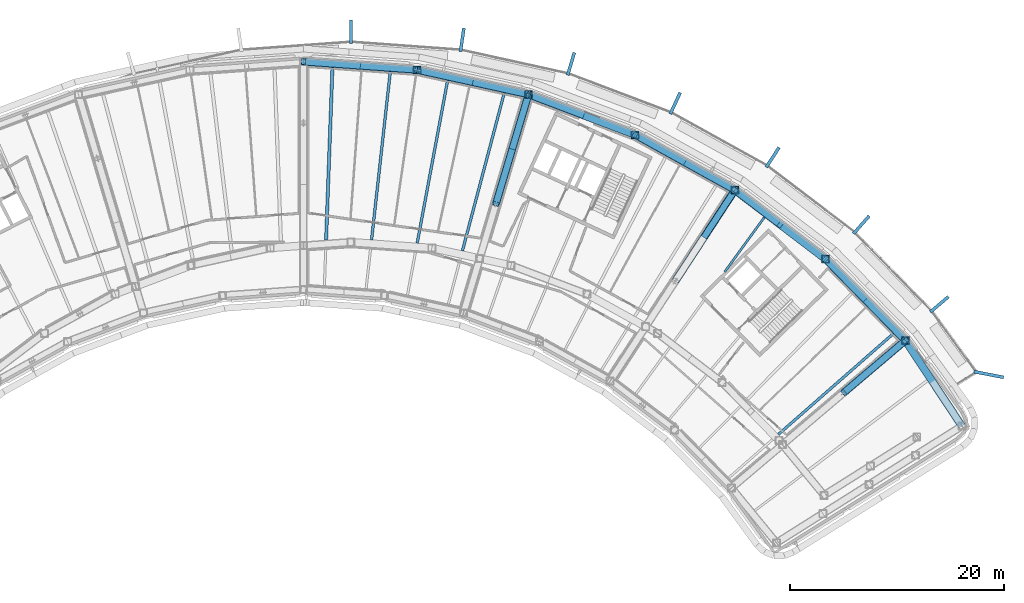
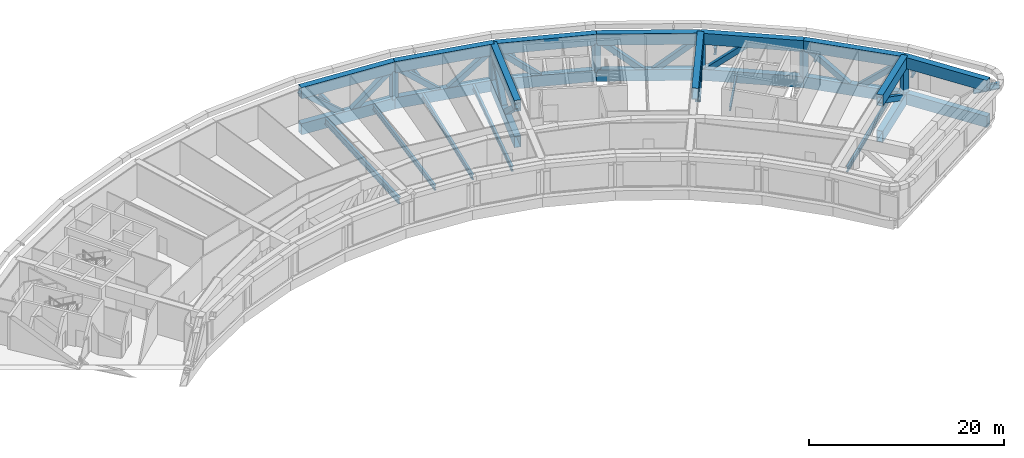
# One storey, part 5 of 25: 33 beams, 20 members.
"""IFC4 building model written with IfcOpenShell, lengths in metres."""

import ifcopenshell
import ifcopenshell.guid

model = None  # the IFC model being written
_history = None  # IfcOwnerHistory: only IFC2X3 demands one
_inside = {}  # id of a spatial element -> (the spatial element, [elements in it])
_under = {}  # id of a project, library or spatial element -> (it, [spatial elements below it])
_declared = {}  # id of a project -> (the project, [libraries it declares])
_typed = {}  # id of a type object -> (the type object, [elements of that type])
_made_of = {}  # id of a material, layer set ... -> (it, [elements and type objects made of it])


def new_model(schema):
    """Start an empty IFC model of exactly this schema.

    Asked for "IFC4X3", IfcOpenShell would pick the latest addendum, in which some entities
    have other attributes; the version numbers below select the first issue.
    IFC2X3 requires an IfcOwnerHistory on every rooted entity: one is made here for all.
    """
    global model, _history
    if schema == "IFC4X3":
        model = ifcopenshell.file(schema_version=(4, 3, 0, 0))
    else:
        model = ifcopenshell.file(schema=schema)
    _inside.clear()
    _under.clear()
    _declared.clear()
    _typed.clear()
    _made_of.clear()
    _history = None
    if model.schema == "IFC2X3":
        org = make("IfcOrganization", Name="unknown")
        user = make(
            "IfcPersonAndOrganization",
            ThePerson=make("IfcPerson", FamilyName="unknown"),
            TheOrganization=org,
        )
        app = make(
            "IfcApplication",
            ApplicationDeveloper=org,
            Version="unknown",
            ApplicationFullName="unknown",
            ApplicationIdentifier="unknown",
        )
        _history = make(
            "IfcOwnerHistory",
            OwningUser=user,
            OwningApplication=app,
            ChangeAction="ADDED",
            CreationDate=0,
        )
    return model


def make(cls, **values):
    """One entity of the class cls with the attributes given. An attribute that is None is left unset."""
    return model.create_entity(
        cls, **{name: value for name, value in values.items() if value is not None}
    )


def rooted(cls, **values):
    """An entity with a GlobalId (a new one), such as an element, a storey or a relation."""
    return make(cls, GlobalId=ifcopenshell.guid.new(), OwnerHistory=_history, **values)


def si_unit(unit_type, name, prefix=None):
    """IfcSIUnit, for example si_unit("LENGTHUNIT", "METRE", prefix="MILLI")."""
    return make("IfcSIUnit", UnitType=unit_type, Prefix=prefix, Name=name)


def assignment(units):
    """IfcUnitAssignment: the units of a project."""
    return None if units is None else make("IfcUnitAssignment", Units=units)


def point(xyz):
    """IfcCartesianPoint."""
    return None if xyz is None else make("IfcCartesianPoint", Coordinates=xyz)


def direction(xyz):
    """IfcDirection."""
    return None if xyz is None else make("IfcDirection", DirectionRatios=xyz)


def frame(location, z_axis=None, x_axis=None):
    """IfcAxis2Placement3D, a coordinate frame: its origin and axes. An axis left out is left unset."""
    return make(
        "IfcAxis2Placement3D",
        Location=point(location),
        Axis=direction(z_axis),
        RefDirection=direction(x_axis),
    )


def frame_2d(location, x_axis=None):
    """IfcAxis2Placement2D, a coordinate frame in the plane: its origin and x axis."""
    return make(
        "IfcAxis2Placement2D", Location=point(location), RefDirection=direction(x_axis)
    )


def origin():
    """The frame at (0, 0, 0) with its axes left unset."""
    return frame((0.0, 0.0, 0.0))


def origin_2d():
    """The frame at (0, 0) in the plane with its x axis left unset."""
    return frame_2d((0.0, 0.0))


def place(relative_to, where):
    """IfcLocalPlacement: puts the frame where relative to a parent placement (None: the world)."""
    return make(
        "IfcLocalPlacement", PlacementRelTo=relative_to, RelativePlacement=where
    )


def context(
    kind, dimensions, precision=None, world=None, true_north=None, identifier=None
):
    """IfcGeometricRepresentationContext, for example the 3D "Model" context."""
    return make(
        "IfcGeometricRepresentationContext",
        ContextIdentifier=identifier,
        ContextType=kind,
        CoordinateSpaceDimension=dimensions,
        Precision=precision,
        WorldCoordinateSystem=world,
        TrueNorth=true_north,
    )


def subcontext(parent, identifier, kind, view, scale=None):
    """IfcGeometricRepresentationSubContext, for example "Body" below "Model"."""
    return make(
        "IfcGeometricRepresentationSubContext",
        ContextIdentifier=identifier,
        ContextType=kind,
        ParentContext=parent,
        TargetScale=scale,
        TargetView=view,
    )


def project(units=None, contexts=None):
    """IfcProject with its units and contexts."""
    return rooted(
        "IfcProject",
        Name="project",
        RepresentationContexts=contexts,
        UnitsInContext=assignment(units),
    )


def spatial(cls, under=None, at=None, **own):
    """A site, building, storey or space (cls), placed at a placement, below another one or the project."""
    s = rooted(cls, ObjectPlacement=at, **own)
    if under is not None:
        _under.setdefault(under.id(), (under, []))[1].append(s)
    return s


def profile(cls, at=None, kind="AREA", **sizes):
    """A parametric profile (cls). Its sizes go by their IFC names, for example OverallWidth=200.0."""
    return make(cls, ProfileType=kind, Position=at, **sizes)


def hollow_rectangle(**sizes):
    """IfcRectangleHollowProfileDef."""
    return profile("IfcRectangleHollowProfileDef", **sizes)


def i_section(**sizes):
    """IfcIShapeProfileDef."""
    return profile("IfcIShapeProfileDef", **sizes)


def extrude(swept, where, along, depth):
    """IfcExtrudedAreaSolid: the profile swept, set in the frame where, extruded along a direction by depth."""
    return make(
        "IfcExtrudedAreaSolid",
        SweptArea=swept,
        Position=where,
        ExtrudedDirection=direction(along),
        Depth=depth,
    )


def shape(context_of_items, identifier, shape_type, items):
    """IfcShapeRepresentation: the items that make up one representation, for example the "Body"."""
    return make(
        "IfcShapeRepresentation",
        ContextOfItems=context_of_items,
        RepresentationIdentifier=identifier,
        RepresentationType=shape_type,
        Items=items,
    )


def material(Name=None, Category=None):
    """IfcMaterial."""
    return make("IfcMaterial", Name=Name, Category=Category)


def material_profile(
    of_material, cross_section, Name=None, Category=None, Priority=None
):
    """IfcMaterialProfile: a cross section and its material."""
    return make(
        "IfcMaterialProfile",
        Name=Name,
        Material=of_material,
        Profile=cross_section,
        Priority=Priority,
        Category=Category,
    )


def profile_set(profiles, Name=None, composite=None):
    """IfcMaterialProfileSet."""
    return make(
        "IfcMaterialProfileSet",
        Name=Name,
        MaterialProfiles=profiles,
        CompositeProfile=composite,
    )


def made_of(thing, what):
    """Note that an element or type object is made of a material, layer set ...; save() writes the relation."""
    if what is not None:
        _made_of.setdefault(what.id(), (what, []))[1].append(thing)
    return thing


def type_object(cls, material=None, **own):
    """A type object (cls), such as IfcWallType, which elements share."""
    return made_of(rooted(cls, **own), material)


def element(
    cls,
    number,
    at=None,
    inside=None,
    cuts=None,
    type_object=None,
    material=None,
    context=None,
    identifier="Body",
    shape_type=None,
    held_by="IfcProductDefinitionShape",
    body=None,
    shapes=None,
    **own,
):
    """One element of the class cls, such as IfcWall. Its Tag is "e" and its number.

    at: its placement. inside: the storey or other place that contains it. cuts: it is an
    opening in that element (IfcRelVoidsElement). A single representation is given by context,
    identifier, shape_type and body (its items); several are given by shapes. held_by: the class
    of the entity that holds the representations. save() writes the other relations.
    """
    e = rooted(cls, Tag="e%d" % number, ObjectPlacement=at, **own)
    if body is not None:
        shapes = [shape(context, identifier, shape_type, body)]
    if shapes is not None:
        e.Representation = make(held_by, Representations=shapes)
    if inside is not None:
        _inside.setdefault(inside.id(), (inside, []))[1].append(e)
    if cuts is not None:
        rooted(
            "IfcRelVoidsElement", RelatingBuildingElement=cuts, RelatedOpeningElement=e
        )
    if type_object is not None:
        _typed.setdefault(type_object.id(), (type_object, []))[1].append(e)
    return made_of(e, material)


def aggregate(whole, parts):
    """IfcRelAggregates: a whole, such as a stair, and the parts it consists of."""
    return rooted("IfcRelAggregates", RelatingObject=whole, RelatedObjects=parts)


def save(model, path):
    """Write the relations noted so far, then the file.

    IfcRelAggregates (storeys below a building ...), IfcRelContainedInSpatialStructure (elements
    in a storey), IfcRelDefinesByType, IfcRelAssociatesMaterial and IfcRelDeclares: one each for
    every whole, place, type object, material and project.
    """
    for whole, parts in _under.values():
        aggregate(whole, parts)
    for where, things in _inside.values():
        rooted(
            "IfcRelContainedInSpatialStructure",
            RelatedElements=things,
            RelatingStructure=where,
        )
    for kind, things in _typed.values():
        rooted("IfcRelDefinesByType", RelatedObjects=things, RelatingType=kind)
    for what, things in _made_of.values():
        rooted("IfcRelAssociatesMaterial", RelatedObjects=things, RelatingMaterial=what)
    for by, libraries in _declared.values():
        rooted("IfcRelDeclares", RelatingContext=by, RelatedDefinitions=libraries)
    model.write(path)


model = new_model("IFC4")

# Units and contexts
model_context = context("Model", 3, precision=1e-05, world=origin(), true_north=direction((0.0, 1.0)))
body_context = subcontext(model_context, "Body", "Model", "MODEL_VIEW")
ifc_project = project(units=[si_unit("LENGTHUNIT", "METRE"), si_unit("AREAUNIT", "SQUARE_METRE"), si_unit("VOLUMEUNIT", "CUBIC_METRE"), si_unit("PLANEANGLEUNIT", "RADIAN"), si_unit("MASSUNIT", "GRAM", prefix="KILO")], contexts=[model_context])

# Site, building, storey
site_placement = place(None, origin())
site = spatial("IfcSite", under=ifc_project, at=site_placement, CompositionType="ELEMENT")
building_placement = place(site_placement, origin())
building = spatial("IfcBuilding", under=site, at=building_placement, Name="Tuul Gate Civic Tower", CompositionType="ELEMENT")
storey_placement = place(building_placement, frame((0.0, 0.0, 133.699951171875)))
storey = spatial("IfcBuildingStorey", under=building, at=storey_placement, Name="Plant and refuge floor 4", CompositionType="ELEMENT", Elevation=133.699951171875)

# Beams
ifc_material_1 = material(Name="Steel S355", Category="steel")
ifc_material_profile_1 = material_profile(ifc_material_1, i_section(OverallWidth=0.199951171875, OverallDepth=0.5, WebThickness=0.010009765625, FlangeThickness=0.01611328125, at=origin_2d()), Name="PG500x200x10x16")
ifc_profile_set_1 = profile_set([ifc_material_profile_1], Name="Steel S355")
beam_type_1 = type_object("IfcBeamType", Name="STR-FLOOR BEAM-PG500x200x10x16", PredefinedType="BEAM", material=ifc_profile_set_1)
beam_1_placement = place(storey_placement, frame((44.8173828125, -10.466064453125, -0.64990234375), z_axis=(0.58841441245, 0.808559508769, 0.0), x_axis=(-0.808559508769, 0.58841441245, 0.0)))
element("IfcBeam", 1, at=beam_1_placement, inside=storey, type_object=beam_type_1, Name="Floor beam", PredefinedType="BEAM", context=body_context, shape_type="SweptSolid", body=[
    extrude(i_section(OverallWidth=0.199951171875, OverallDepth=0.5, WebThickness=0.010009765625, FlangeThickness=0.01611328125, at=origin_2d()), origin(), (0.0, 0.0, 1.0), 6.339111328125),
])
ifc_material_2 = material(Name="Steel S355", Category="steel")
ifc_material_profile_2 = material_profile(ifc_material_2, i_section(OverallWidth=0.25, OverallDepth=0.64990234375, WebThickness=0.011962890625, FlangeThickness=0.02001953125, at=origin_2d()), Name="PG650x250x12x20")
ifc_profile_set_2 = profile_set([ifc_material_profile_2], Name="Steel S355")
beam_type_2 = type_object("IfcBeamType", Name="STR-FLOOR BEAM-PG650x250x12x20", PredefinedType="BEAM", material=ifc_profile_set_2)
beam_2_placement = place(storey_placement, frame((49.85400390625, -25.680908203125, -0.724853515625), z_axis=(0.752021009589, 0.659139136402, 0.0), x_axis=(-0.659139136402, 0.752021009589, 0.0)))
element("IfcBeam", 2, at=beam_2_placement, inside=storey, type_object=beam_type_2, Name="Floor beam", PredefinedType="BEAM", context=body_context, shape_type="SweptSolid", body=[
    extrude(i_section(OverallWidth=0.25, OverallDepth=0.64990234375, WebThickness=0.011962890625, FlangeThickness=0.02001953125, at=origin_2d()), origin(), (0.0, 0.0, 1.0), 14.32275390625),
])
beam_3_placement = place(storey_placement, frame((20.260498046875, -8.48974609375, -0.724853515625), z_axis=(0.25614817714, 0.966637528419, 0.0), x_axis=(-0.966637528419, 0.25614817714, 0.0)))
element("IfcBeam", 3, at=beam_3_placement, inside=storey, type_object=beam_type_2, Name="Floor beam", PredefinedType="BEAM", context=body_context, shape_type="SweptSolid", body=[
    extrude(i_section(OverallWidth=0.25, OverallDepth=0.64990234375, WebThickness=0.011962890625, FlangeThickness=0.02001953125, at=origin_2d()), origin(), (0.0, 0.0, 1.0), 15.30419921875),
])
beam_4_placement = place(storey_placement, frame((16.023681640625, -7.767333984375, -0.724853515625), z_axis=(0.183976694826, 0.982930605771, 0.0), x_axis=(-0.982930605771, 0.183976694826, 0.0)))
element("IfcBeam", 4, at=beam_4_placement, inside=storey, type_object=beam_type_2, Name="Floor beam", PredefinedType="BEAM", context=body_context, shape_type="SweptSolid", body=[
    extrude(i_section(OverallWidth=0.25, OverallDepth=0.64990234375, WebThickness=0.011962890625, FlangeThickness=0.02001953125, at=origin_2d()), origin(), (0.0, 0.0, 1.0), 15.5048828125),
])
beam_5_placement = place(storey_placement, frame((11.75146484375, -7.45751953125, -0.724853515625), z_axis=(0.1107883115, 0.993844027016, 0.0), x_axis=(-0.993844027016, 0.1107883115, 0.0)))
element("IfcBeam", 5, at=beam_5_placement, inside=storey, type_object=beam_type_2, Name="Floor beam", PredefinedType="BEAM", context=body_context, shape_type="SweptSolid", body=[
    extrude(i_section(OverallWidth=0.25, OverallDepth=0.64990234375, WebThickness=0.011962890625, FlangeThickness=0.02001953125, at=origin_2d()), origin(), (0.0, 0.0, 1.0), 15.8466796875),
])
ifc_material_3 = material(Name="Steel S355", Category="steel")
ifc_material_profile_3 = material_profile(ifc_material_3, i_section(OverallWidth=0.300048828125, OverallDepth=0.800048828125, WebThickness=0.013916015625, FlangeThickness=0.02490234375, at=origin_2d()), Name="PG800x300x14x25")
ifc_profile_set_3 = profile_set([ifc_material_profile_3], Name="Steel S355")
beam_type_3 = type_object("IfcBeamType", Name="STR-FLOOR BEAM-PG800x300x14x25", PredefinedType="BEAM", material=ifc_profile_set_3)
beam_6_placement = place(storey_placement, frame((7.490966796875, -7.487548828125, -0.800048828125), z_axis=(0.036991573009, 0.999315577546, 0.0), x_axis=(-0.999315577546, 0.036991573009, 0.0)))
element("IfcBeam", 6, at=beam_6_placement, inside=storey, type_object=beam_type_3, Name="Floor beam", PredefinedType="BEAM", context=body_context, shape_type="SweptSolid", body=[
    extrude(i_section(OverallWidth=0.300048828125, OverallDepth=0.800048828125, WebThickness=0.013916015625, FlangeThickness=0.02490234375, at=origin_2d()), origin(), (0.0, 0.0, 1.0), 16.182861328125),
])
beam_7_placement = place(storey_placement, frame((70.9599609375, -20.337646484375, -0.800048828125), z_axis=(-0.981817185321, 0.189828908778, 0.0), x_axis=(-0.189828908778, -0.981817185321, 0.0)))
element("IfcBeam", 7, at=beam_7_placement, inside=storey, type_object=beam_type_3, Name="Terrace beam", PredefinedType="BEAM", context=body_context, shape_type="SweptSolid", body=[
    extrude(i_section(OverallWidth=0.300048828125, OverallDepth=0.800048828125, WebThickness=0.013916015625, FlangeThickness=0.02490234375, at=origin_2d()), origin(), (0.0, 0.0, 1.0), 2.83203125),
])
beam_8_placement = place(storey_placement, frame((65.781494140625, -12.78466796875, -0.800048828125), z_axis=(-0.762743914875, -0.646700641967, 0.0), x_axis=(0.646700641967, -0.762743914875, 0.0)))
element("IfcBeam", 8, at=beam_8_placement, inside=storey, type_object=beam_type_3, Name="Terrace beam", PredefinedType="BEAM", context=body_context, shape_type="SweptSolid", body=[
    extrude(i_section(OverallWidth=0.300048828125, OverallDepth=0.800048828125, WebThickness=0.013916015625, FlangeThickness=0.02490234375, at=origin_2d()), origin(), (0.0, 0.0, 1.0), 2.20703125),
])
beam_9_placement = place(storey_placement, frame((58.362060546875, -5.216552734375, -0.800048828125), z_axis=(-0.661570392608, -0.749883067968, 0.0), x_axis=(0.749883067968, -0.661570392608, 0.0)))
element("IfcBeam", 9, at=beam_9_placement, inside=storey, type_object=beam_type_3, Name="Terrace beam", PredefinedType="BEAM", context=body_context, shape_type="SweptSolid", body=[
    extrude(i_section(OverallWidth=0.300048828125, OverallDepth=0.800048828125, WebThickness=0.013916015625, FlangeThickness=0.02490234375, at=origin_2d()), origin(), (0.0, 0.0, 1.0), 2.2060546875),
])
for number, where, z_axis, x_axis, name in (
    (10, (49.930419921875, 1.203369140625, -0.800048828125), (-0.546760409974, -0.837289110215, 0.0), (0.837289110215, -0.546760409974, 0.0), "Terrace beam"),
    (11, (40.66162109375, 6.341064453125, -0.800048828125), (-0.42041880574, -0.907330164703, 0.0), (0.907330164703, -0.42041880574, 0.0), "Terrace beam"),
):
    element("IfcBeam", number, at=place(storey_placement, frame(where, z_axis=z_axis, x_axis=x_axis)), inside=storey, type_object=beam_type_3, Name=name, PredefinedType="BEAM", context=body_context, shape_type="SweptSolid", body=[
        extrude(i_section(OverallWidth=0.300048828125, OverallDepth=0.800048828125, WebThickness=0.013916015625, FlangeThickness=0.02490234375, at=origin_2d()), origin(), (0.0, 0.0, 1.0), 2.206787109375),
    ])
beam_10_placement = place(storey_placement, frame((30.748291015625, 10.08984375, -0.800048828125), z_axis=(-0.285082940366, -0.958502851906, 0.0), x_axis=(0.958502851906, -0.285082940366, 0.0)))
element("IfcBeam", 12, at=beam_10_placement, inside=storey, type_object=beam_type_3, Name="Terrace beam", PredefinedType="BEAM", context=body_context, shape_type="SweptSolid", body=[
    extrude(i_section(OverallWidth=0.300048828125, OverallDepth=0.800048828125, WebThickness=0.013916015625, FlangeThickness=0.02490234375, at=origin_2d()), origin(), (0.0, 0.0, 1.0), 2.2060546875),
])
beam_11_placement = place(storey_placement, frame((20.398681640625, 12.370849609375, -0.800048828125), z_axis=(-0.144038332677, -0.989572108904, 0.0), x_axis=(0.989572108904, -0.144038332677, 0.0)))
element("IfcBeam", 13, at=beam_11_placement, inside=storey, type_object=beam_type_3, Name="Terrace beam", PredefinedType="BEAM", context=body_context, shape_type="SweptSolid", body=[
    extrude(i_section(OverallWidth=0.300048828125, OverallDepth=0.800048828125, WebThickness=0.013916015625, FlangeThickness=0.02490234375, at=origin_2d()), origin(), (0.0, 0.0, 1.0), 2.206787109375),
])
beam_12_placement = place(storey_placement, frame((9.8291015625, 13.135986328125, -0.800048828125), z_axis=(0.0, -1.0, 0.0), x_axis=(1.0, 0.0, 0.0)))
element("IfcBeam", 14, at=beam_12_placement, inside=storey, type_object=beam_type_3, Name="Terrace beam", PredefinedType="BEAM", context=body_context, shape_type="SweptSolid", body=[
    extrude(i_section(OverallWidth=0.300048828125, OverallDepth=0.800048828125, WebThickness=0.013916015625, FlangeThickness=0.02490234375, at=origin_2d()), origin(), (0.0, 0.0, 1.0), 2.2060546875),
])
ifc_material_4 = material(Name="Steel S460", Category="steel")
ifc_material_profile_4 = material_profile(ifc_material_4, hollow_rectangle(XDim=0.699951171875, YDim=1.39990234375, WallThickness=0.0400390625, at=origin_2d()), Name="BOX1400x700x40")
ifc_profile_set_4 = profile_set([ifc_material_profile_4], Name="Steel S460")
beam_type_4 = type_object("IfcBeamType", Name="STR-TRANSFER TRUSS CHORD-BOX1400x700x40", PredefinedType="BEAM", material=ifc_profile_set_4)
for number, where, z_axis, x_axis, name in (
    (15, (61.74609375, -16.884033203125, -1.099853515625), (-0.762829844863, -0.646599279142, 0.0), (0.646599279142, -0.762829844863, 0.0), "Radial truss bottom chord"),
    (16, (61.74609375, -16.884033203125, 3.400146484375), (-0.762829844863, -0.646599279142, 0.0), (0.646599279142, -0.762829844863, 0.0), "Radial truss top chord"),
):
    element("IfcBeam", number, at=place(storey_placement, frame(where, z_axis=z_axis, x_axis=x_axis)), inside=storey, type_object=beam_type_4, Name=name, PredefinedType="BEAM", context=body_context, shape_type="SweptSolid", body=[
        extrude(hollow_rectangle(XDim=0.699951171875, YDim=1.39990234375, WallThickness=0.0400390625, at=origin_2d()), origin(), (0.0, 0.0, 1.0), 7.542724609375),
    ])
for number, where, z_axis, x_axis, name in (
    (17, (26.450927734375, 6.162109375, -1.099853515625), (-0.285197140659, -0.958468878451, 0.0), (0.958468878451, -0.285197140659, 0.0), "Radial truss bottom chord"),
    (18, (26.450927734375, 6.162109375, 3.400146484375), (-0.285197140659, -0.958468878451, 0.0), (0.958468878451, -0.285197140659, 0.0), "Radial truss top chord"),
):
    element("IfcBeam", number, at=place(storey_placement, frame(where, z_axis=z_axis, x_axis=x_axis)), inside=storey, type_object=beam_type_4, Name=name, PredefinedType="BEAM", context=body_context, shape_type="SweptSolid", body=[
        extrude(hollow_rectangle(XDim=0.699951171875, YDim=1.39990234375, WallThickness=0.0400390625, at=origin_2d()), origin(), (0.0, 0.0, 1.0), 10.6884765625),
    ])
beam_13_placement = place(storey_placement, frame((45.77587890625, -2.791015625, 3.400146484375), z_axis=(-0.546706970864, -0.837324004199, 0.0), x_axis=(0.837324004199, -0.546706970864, 0.0)))
element("IfcBeam", 19, at=beam_13_placement, inside=storey, type_object=beam_type_4, Name="Radial truss top chord", PredefinedType="BEAM", context=body_context, shape_type="SweptSolid", body=[
    extrude(hollow_rectangle(XDim=0.699951171875, YDim=1.39990234375, WallThickness=0.0400390625, at=origin_2d()), origin(), (0.0, 0.0, 1.0), 10.189208984375),
])
for number, where, z_axis, x_axis, name in (
    (20, (26.450927734375, 6.162109375, -1.099853515625), (-0.9765717726, 0.21519194446, 0.0), (-0.21519194446, -0.9765717726, 0.0), "Belt truss bottom chord"),
    (21, (26.450927734375, 6.162109375, 3.400146484375), (-0.9765717726, 0.21519194446, 0.0), (-0.21519194446, -0.9765717726, 0.0), "Belt truss top chord"),
):
    element("IfcBeam", number, at=place(storey_placement, frame(where, z_axis=z_axis, x_axis=x_axis)), inside=storey, type_object=beam_type_4, Name=name, PredefinedType="BEAM", context=body_context, shape_type="SweptSolid", body=[
        extrude(hollow_rectangle(XDim=0.699951171875, YDim=1.39990234375, WallThickness=0.0400390625, at=origin_2d()), origin(), (0.0, 0.0, 1.0), 10.67822265625),
    ])
for number, where, z_axis, x_axis, name in (
    (22, (54.27197265625, -9.259033203125, -1.099853515625), (-0.795666270383, 0.605735244289, 0.0), (-0.605735244289, -0.795666270383, 0.0), "Belt truss bottom chord"),
    (23, (54.27197265625, -9.259033203125, 3.400146484375), (-0.795666270383, 0.605735244289, 0.0), (-0.605735244289, -0.795666270383, 0.0), "Belt truss top chord"),
):
    element("IfcBeam", number, at=place(storey_placement, frame(where, z_axis=z_axis, x_axis=x_axis)), inside=storey, type_object=beam_type_4, Name=name, PredefinedType="BEAM", context=body_context, shape_type="SweptSolid", body=[
        extrude(hollow_rectangle(XDim=0.699951171875, YDim=1.39990234375, WallThickness=0.0400390625, at=origin_2d()), origin(), (0.0, 0.0, 1.0), 10.677978515625),
    ])
for number, where, z_axis, x_axis, name in (
    (24, (36.43798828125, 2.385009765625, -1.099853515625), (-0.935341677357, 0.353745595873, 0.0), (-0.353745595873, -0.935341677357, 0.0), "Belt truss bottom chord"),
    (25, (36.43798828125, 2.385009765625, 3.400146484375), (-0.935341677357, 0.353745595873, 0.0), (-0.353745595873, -0.935341677357, 0.0), "Belt truss top chord"),
):
    element("IfcBeam", number, at=place(storey_placement, frame(where, z_axis=z_axis, x_axis=x_axis)), inside=storey, type_object=beam_type_4, Name=name, PredefinedType="BEAM", context=body_context, shape_type="SweptSolid", body=[
        extrude(hollow_rectangle(XDim=0.699951171875, YDim=1.39990234375, WallThickness=0.0400390625, at=origin_2d()), origin(), (0.0, 0.0, 1.0), 10.677490234375),
    ])
for number, where, z_axis, x_axis, name in (
    (26, (61.74609375, -16.884033203125, -1.099853515625), (-0.700006025331, 0.714136936798, 0.0), (-0.714136936798, -0.700006025331, 0.0), "Belt truss bottom chord"),
    (27, (61.74609375, -16.884033203125, 3.400146484375), (-0.700006025331, 0.714136936798, 0.0), (-0.714136936798, -0.700006025331, 0.0), "Belt truss top chord"),
):
    element("IfcBeam", number, at=place(storey_placement, frame(where, z_axis=z_axis, x_axis=x_axis)), inside=storey, type_object=beam_type_4, Name=name, PredefinedType="BEAM", context=body_context, shape_type="SweptSolid", body=[
        extrude(hollow_rectangle(XDim=0.699951171875, YDim=1.39990234375, WallThickness=0.0400390625, at=origin_2d()), origin(), (0.0, 0.0, 1.0), 10.67724609375),
    ])
for number, where, z_axis, x_axis, name in (
    (28, (16.02294921875, 8.4599609375, -1.099853515625), (-0.997382693351, 0.072303271044, 0.0), (-0.072303271044, -0.997382693351, 0.0), "Belt truss bottom chord"),
    (29, (16.02294921875, 8.4599609375, 3.400146484375), (-0.997382693351, 0.072303271044, 0.0), (-0.072303271044, -0.997382693351, 0.0), "Belt truss top chord"),
):
    element("IfcBeam", number, at=place(storey_placement, frame(where, z_axis=z_axis, x_axis=x_axis)), inside=storey, type_object=beam_type_4, Name=name, PredefinedType="BEAM", context=body_context, shape_type="SweptSolid", body=[
        extrude(hollow_rectangle(XDim=0.699951171875, YDim=1.39990234375, WallThickness=0.0400390625, at=origin_2d()), origin(), (0.0, 0.0, 1.0), 10.6767578125),
    ])
for number, where, z_axis, x_axis, name in (
    (30, (45.77587890625, -2.791015625, -1.099853515625), (-0.874621768546, 0.484805901353, 0.0), (-0.484805901353, -0.874621768546, 0.0), "Belt truss bottom chord"),
    (31, (45.77587890625, -2.791015625, 3.400146484375), (-0.874621768546, 0.484805901353, 0.0), (-0.484805901353, -0.874621768546, 0.0), "Belt truss top chord"),
):
    element("IfcBeam", number, at=place(storey_placement, frame(where, z_axis=z_axis, x_axis=x_axis)), inside=storey, type_object=beam_type_4, Name=name, PredefinedType="BEAM", context=body_context, shape_type="SweptSolid", body=[
        extrude(hollow_rectangle(XDim=0.699951171875, YDim=1.39990234375, WallThickness=0.0400390625, at=origin_2d()), origin(), (0.0, 0.0, 1.0), 10.676513671875),
    ])
for number, where, z_axis, x_axis, name in (
    (32, (67.044921875, -24.89697265625, -1.099853515625), (-0.5515879836, 0.834116716262, 0.0), (-0.834116716262, -0.5515879836, 0.0), "Belt truss bottom chord"),
    (33, (67.044921875, -24.89697265625, 3.400146484375), (-0.5515879836, 0.834116716262, 0.0), (-0.834116716262, -0.5515879836, 0.0), "Belt truss top chord"),
):
    element("IfcBeam", number, at=place(storey_placement, frame(where, z_axis=z_axis, x_axis=x_axis)), inside=storey, type_object=beam_type_4, Name=name, PredefinedType="BEAM", context=body_context, shape_type="SweptSolid", body=[
        extrude(hollow_rectangle(XDim=0.699951171875, YDim=1.39990234375, WallThickness=0.0400390625, at=origin_2d()), origin(), (0.0, 0.0, 1.0), 9.6064453125),
    ])

# Members
ifc_material_5 = material(Name="Steel S355", Category="steel")
ifc_material_profile_5 = material_profile(ifc_material_5, hollow_rectangle(XDim=0.60009765625, YDim=0.60009765625, WallThickness=0.02490234375, at=origin_2d()), Name="BOX600x600x25")
ifc_profile_set_5 = profile_set([ifc_material_profile_5], Name="Steel S355")
member_type_1 = type_object("IfcMemberType", Name="STR-TRANSFER TRUSS DIAGONAL-BOX600x600x25", PredefinedType="BRACE", material=ifc_profile_set_5)
member_1_placement = place(storey_placement, frame((61.749267578125, -16.881103515625, -1.1025390625), z_axis=(-0.655088192304, -0.555300663138, 0.512348156844), x_axis=(0.646617369363, -0.762814510637, 0.0)))
element("IfcMember", 34, at=member_1_placement, inside=storey, type_object=member_type_1, Name="Radial truss web", PredefinedType="BRACE", context=body_context, shape_type="SweptSolid", body=[
    extrude(hollow_rectangle(XDim=0.60009765625, YDim=0.60009765625, WallThickness=0.02490234375, at=origin_2d()), origin(), (0.0, 0.0, 1.0), 8.793212890625),
])
for number, where, z_axis, x_axis, name in (
    (35, (24.92578125, 1.0361328125, -1.103271484375), (0.218158534425, 0.733162022842, 0.644112026064), (-0.958467963772, 0.285200214626, 0.0), "Radial truss web"),
    (36, (24.927734375, 1.04345703125, -1.103271484375), (-0.218158534425, -0.733162022842, 0.644112026064), (0.958467963772, -0.285200214626, 0.0), "Radial truss web"),
):
    element("IfcMember", number, at=place(storey_placement, frame(where, z_axis=z_axis, x_axis=x_axis)), inside=storey, type_object=member_type_1, Name=name, PredefinedType="BRACE", context=body_context, shape_type="SweptSolid", body=[
        extrude(hollow_rectangle(XDim=0.60009765625, YDim=0.60009765625, WallThickness=0.02490234375, at=origin_2d()), origin(), (0.0, 0.0, 1.0), 6.99658203125),
    ])
member_2_placement = place(storey_placement, frame((42.988525390625, -7.06005859375, -1.103271484375), z_axis=(0.409772810913, 0.627569964832, 0.661998627398), x_axis=(-0.837312525531, 0.54672455093, 0.0)))
element("IfcMember", 37, at=member_2_placement, inside=storey, type_object=member_type_1, Name="Radial truss web", PredefinedType="BRACE", context=body_context, shape_type="SweptSolid", body=[
    extrude(hollow_rectangle(XDim=0.60009765625, YDim=0.60009765625, WallThickness=0.02490234375, at=origin_2d()), origin(), (0.0, 0.0, 1.0), 6.8076171875),
])
member_3_placement = place(storey_placement, frame((21.233154296875, 7.311767578125, -1.103271484375), z_axis=(0.746722169207, -0.16454561359, 0.644461591612), x_axis=(0.215194506432, 0.976571208055, 0.0)))
element("IfcMember", 38, at=member_3_placement, inside=storey, type_object=member_type_1, Name="Belt truss web", PredefinedType="BRACE", context=body_context, shape_type="SweptSolid", body=[
    extrude(hollow_rectangle(XDim=0.60009765625, YDim=0.60009765625, WallThickness=0.02490234375, at=origin_2d()), origin(), (0.0, 0.0, 1.0), 6.992919921875),
])
for number, where, z_axis, x_axis, name in (
    (39, (21.24072265625, 7.31005859375, -1.103271484375), (-0.746702432497, 0.164583871828, 0.6444746903), (-0.215247648816, -0.976559496231, 0.0), "Belt truss web"),
    (40, (45.77294921875, -2.78857421875, -1.103271484375), (0.608376807768, -0.463169396376, 0.644477904998), (0.605748763564, 0.795655978072, 0.0), "Belt truss web"),
):
    element("IfcMember", number, at=place(storey_placement, frame(where, z_axis=z_axis, x_axis=x_axis)), inside=storey, type_object=member_type_1, Name=name, PredefinedType="BRACE", context=body_context, shape_type="SweptSolid", body=[
        extrude(hollow_rectangle(XDim=0.60009765625, YDim=0.60009765625, WallThickness=0.02490234375, at=origin_2d()), origin(), (0.0, 0.0, 1.0), 6.99267578125),
    ])
for number, where, z_axis, x_axis, name in (
    (41, (31.447998046875, 4.272216796875, -1.103271484375), (-0.715154537599, 0.27046123661, 0.644518973222), (-0.353734461939, -0.935345888127, 0.0), "Belt truss web"),
    (42, (58.00634765625, -13.06884765625, -1.103271484375), (0.535227064941, -0.546016102912, 0.644514083876), (0.714126998958, 0.700016163642, 0.0), "Belt truss web"),
    (43, (58.01171875, -13.07421875, -1.103271484375), (-0.535227064941, 0.546016102912, 0.644514083876), (-0.714126998958, -0.700016163642, 0.0), "Belt truss web"),
    (44, (10.694580078125, 8.84619140625, -1.103271484375), (0.76259533487, -0.055271664077, 0.644510200373), (0.072288744582, 0.997383746312, 0.0), "Belt truss web"),
    (45, (10.702392578125, 8.845703125, -1.103271484375), (-0.76259533487, 0.055271664077, 0.644510200373), (-0.072288744582, -0.997383746312, 0.0), "Belt truss web"),
):
    element("IfcMember", number, at=place(storey_placement, frame(where, z_axis=z_axis, x_axis=x_axis)), inside=storey, type_object=member_type_1, Name=name, PredefinedType="BRACE", context=body_context, shape_type="SweptSolid", body=[
        extrude(hollow_rectangle(XDim=0.60009765625, YDim=0.60009765625, WallThickness=0.02490234375, at=origin_2d()), origin(), (0.0, 0.0, 1.0), 6.9921875),
    ])
member_4_placement = place(storey_placement, frame((41.103759765625, -0.201171875, -1.103271484375), z_axis=(0.668702449366, -0.370682742544, 0.644539633066), x_axis=(0.484824549895, 0.874611431334, 0.0)))
element("IfcMember", 46, at=member_4_placement, inside=storey, type_object=member_type_1, Name="Belt truss web", PredefinedType="BRACE", context=body_context, shape_type="SweptSolid", body=[
    extrude(hollow_rectangle(XDim=0.60009765625, YDim=0.60009765625, WallThickness=0.02490234375, at=origin_2d()), origin(), (0.0, 0.0, 1.0), 6.991943359375),
])
member_5_placement = place(storey_placement, frame((41.1103515625, -0.204833984375, -1.103271484375), z_axis=(-0.668721752302, 0.370674087429, 0.644524583633), x_axis=(-0.484805185284, -0.874622165464, 0.0)))
element("IfcMember", 47, at=member_5_placement, inside=storey, type_object=member_type_1, Name="Belt truss web", PredefinedType="BRACE", context=body_context, shape_type="SweptSolid", body=[
    extrude(hollow_rectangle(XDim=0.60009765625, YDim=0.60009765625, WallThickness=0.02490234375, at=origin_2d()), origin(), (0.0, 0.0, 1.0), 6.9921875),
])
ifc_material_6 = material(Name="Steel S355", Category="steel")
ifc_material_profile_6 = material_profile(ifc_material_6, hollow_rectangle(XDim=0.699951171875, YDim=0.699951171875, WallThickness=0.030029296875, at=origin_2d()), Name="BOX700x700x30")
ifc_profile_set_6 = profile_set([ifc_material_profile_6], Name="Steel S355")
member_type_2 = type_object("IfcMemberType", Name="STR-TRUSS POST-BOX700x700x30", PredefinedType="POST", material=ifc_profile_set_6)
for number, where, z_axis, x_axis, name in (
    (48, (61.74609375, -16.884033203125, -0.619873046875), (0.0, 0.0, 1.0), (1.0, 0.0, 0.0), "Radial truss post"),
    (49, (26.450927734375, 6.162109375, -0.619873046875), (0.0, 0.0, 1.0), (1.0, 0.0, 0.0), "Radial truss post"),
    (50, (45.77587890625, -2.791015625, -0.619873046875), (0.0, 0.0, 1.0), (1.0, 0.0, 0.0), "Radial truss post"),
    (51, (16.02294921875, 8.4599609375, -0.619873046875), (0.0, 0.0, 1.0), (1.0, 0.0, 0.0), "Belt truss post"),
    (52, (54.27197265625, -9.259033203125, -0.619873046875), (0.0, 0.0, 1.0), (1.0, 0.0, 0.0), "Belt truss post"),
    (53, (36.43798828125, 2.385009765625, -0.619873046875), (0.0, 0.0, 1.0), (1.0, 0.0, 0.0), "Belt truss post"),
):
    element("IfcMember", number, at=place(storey_placement, frame(where, z_axis=z_axis, x_axis=x_axis)), inside=storey, type_object=member_type_2, Name=name, PredefinedType="POST", context=body_context, shape_type="SweptSolid", body=[
        extrude(hollow_rectangle(XDim=0.699951171875, YDim=0.699951171875, WallThickness=0.030029296875, at=origin_2d()), origin(), (0.0, 0.0, 1.0), 3.5400390625),
    ])

save(model, "model.ifc")
